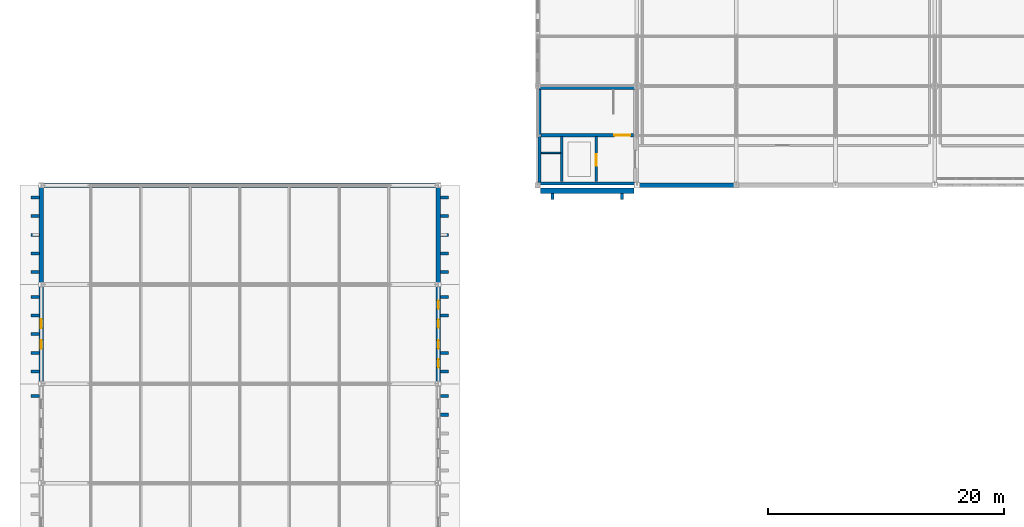
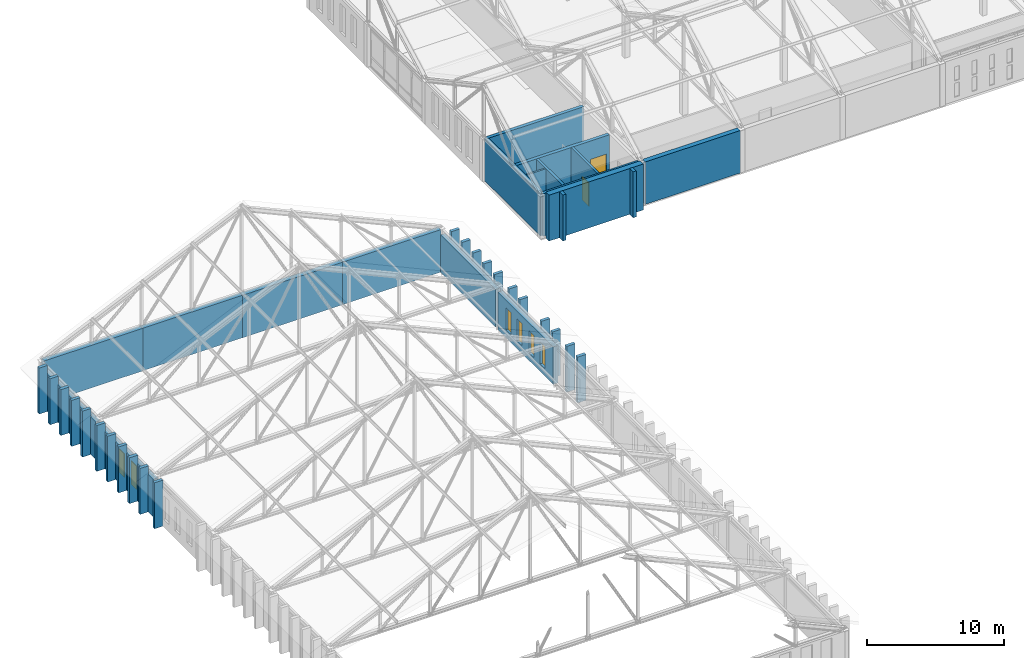
# One storey, part 88 of 110: 41 walls, 6 windows, 2 doors, 8 openings.
"""IFC4 building model written with IfcOpenShell, lengths in metres."""

from ifc_helpers import new_model, si_unit, direction, frame, frame_2d, origin, place, context, subcontext, project, spatial, rectangle, extrude, material, layer, layer_set, type_object, element, fill, save


model = new_model("IFC4")

# Units and contexts
model_context = context("Model", 3, precision=1e-05, world=origin(), true_north=direction((0.0, 1.0)))
body_context = subcontext(model_context, "Body", "Model", "MODEL_VIEW")
ifc_project = project(units=[si_unit("LENGTHUNIT", "METRE"), si_unit("AREAUNIT", "SQUARE_METRE"), si_unit("VOLUMEUNIT", "CUBIC_METRE"), si_unit("PLANEANGLEUNIT", "RADIAN"), si_unit("MASSUNIT", "GRAM", prefix="KILO")], contexts=[model_context])

# Site, building, storey
site_placement = place(None, origin())
site = spatial("IfcSite", under=ifc_project, at=site_placement, CompositionType="ELEMENT")
building_placement = place(site_placement, origin())
building = spatial("IfcBuilding", under=site, at=building_placement, Name="Kveldsbrygga Polytechnic", CompositionType="ELEMENT")
storey_placement = place(building_placement, frame((0.0, 0.0, 9.860107421875)))
storey = spatial("IfcBuildingStorey", under=building, at=storey_placement, Name="L02", CompositionType="ELEMENT", Elevation=9.860107421875)

# Walls
ifc_material_1 = material(Name="Fired clay brick masonry M10", Category="masonry")
ifc_layer_1 = layer(ifc_material_1, 0.47998046875)
ifc_layer_set_1 = layer_set([ifc_layer_1], Name="Fired clay brick masonry M10")
wall_type_1 = type_object("IfcWallType", Name="EW-BAST-480", PredefinedType="SOLIDWALL", material=ifc_layer_set_1)
wall_1_placement = place(storey_placement, frame((42.239990234375, 83.52001953125, 0.0), z_axis=(0.0, 0.0, 1.0), x_axis=(1.0, 0.0, 0.0)))
element("IfcWall", 1, at=wall_1_placement, inside=storey, type_object=wall_type_1, Name="Corner Stair Bastion Wall BAST-L02-X-05-10", PredefinedType="SOLIDWALL", context=body_context, shape_type="SweptSolid", body=[
    extrude(rectangle(XDim=7.919921875, YDim=0.47998046875, at=frame_2d((3.9599609375, 0.0))), origin(), (0.0, 0.0, 1.0), 4.079833984375),
])
ifc_layer_2 = layer(ifc_material_1, 0.3798828125)
ifc_layer_set_2 = layer_set([ifc_layer_2], Name="Fired clay brick masonry M10")
wall_type_2 = type_object("IfcWallType", Name="EW-BRICK-380", PredefinedType="SOLIDWALL", material=ifc_layer_set_2)
wall_2_placement = place(storey_placement, frame((0.0, 75.784912109375, 0.0), z_axis=(0.0, 0.0, 1.0), x_axis=(0.0, 1.0, 0.0)))
element("IfcWall", 2, at=wall_2_placement, inside=storey, type_object=wall_type_2, Name="Exterior Brick Wall EW-L02-Y-00-09", PredefinedType="SOLIDWALL", context=body_context, shape_type="SweptSolid", body=[
    extrude(rectangle(XDim=8.030029296875, YDim=0.3798828125, at=frame_2d((4.01513671875, 0.0))), origin(), (0.0, 0.0, 1.0), 3.329833984375),
])
wall_3_placement = place(storey_placement, frame((8.39990234375, 84.0, 0.0), z_axis=(0.0, 0.0, 1.0), x_axis=(1.0, 0.0, 0.0)))
element("IfcWall", 3, at=wall_3_placement, inside=storey, type_object=wall_type_2, Name="Exterior Brick Wall EW-L02-X-01-10", PredefinedType="SOLIDWALL", context=body_context, shape_type="SweptSolid", body=[
    extrude(rectangle(XDim=8.400146484375, YDim=0.3798828125, at=frame_2d((4.2001953125, 0.0))), origin(), (0.0, 0.0, 1.0), 3.77978515625),
])
wall_4_placement = place(storey_placement, frame((25.199951171875, 84.0, 0.0), z_axis=(0.0, 0.0, 1.0), x_axis=(1.0, 0.0, 0.0)))
element("IfcWall", 4, at=wall_4_placement, inside=storey, type_object=wall_type_2, Name="Exterior Brick Wall EW-L02-X-03-10", PredefinedType="SOLIDWALL", context=body_context, shape_type="SweptSolid", body=[
    extrude(rectangle(XDim=8.26513671875, YDim=0.3798828125, at=frame_2d((4.132568359375, 0.0))), origin(), (0.0, 0.0, 1.0), 3.77978515625),
])
wall_5_placement = place(storey_placement, frame((33.60009765625, 75.784912109375, 0.0), z_axis=(0.0, 0.0, 1.0), x_axis=(0.0, 1.0, 0.0)))
element("IfcWall", 5, at=wall_5_placement, inside=storey, type_object=wall_type_2, Name="Exterior Brick Wall EW-L02-Y-04-09", PredefinedType="SOLIDWALL", context=body_context, shape_type="SweptSolid", body=[
    extrude(rectangle(XDim=8.030029296875, YDim=0.3798828125, at=frame_2d((4.01513671875, 0.0))), origin(), (0.0, 0.0, 1.0), 3.329833984375),
])

# Wall, openings, windows
ifc_layer_3 = layer(ifc_material_1, 0.39990234375)
ifc_layer_set_3 = layer_set([ifc_layer_3], Name="Fired clay brick masonry M10")
wall_type_3 = type_object("IfcWallType", Name="EW-BRICK-400", PredefinedType="SOLIDWALL", material=ifc_layer_set_3)
wall_6_placement = place(storey_placement, frame((0.0, 67.385009765625, 0.0), z_axis=(0.0, 0.0, 1.0), x_axis=(0.0, 1.0, 0.0)))
wall_6 = element("IfcWall", 6, at=wall_6_placement, inside=storey, type_object=wall_type_3, Name="Exterior Brick Wall EW-L02-Y-00-08", PredefinedType="SOLIDWALL", context=body_context, shape_type="SweptSolid", body=[
    extrude(rectangle(XDim=8.030029296875, YDim=0.39990234375, at=frame_2d((4.01513671875, 0.0))), origin(), (0.0, 0.0, 1.0), 3.329833984375),
])
opening_1_placement = place(wall_6_placement, frame((2.756591796875, 0.0, 0.699951171875)))
opening_1 = element("IfcOpeningElement", 7, at=opening_1_placement, cuts=wall_6, Name="Opening W-27", PredefinedType="OPENING", context=body_context, shape_type="SweptSolid", body=[
    extrude(rectangle(XDim=0.75, YDim=2.10009765625, at=frame_2d((0.375, 1.050048828125))), frame((0.0, 0.2099609375, 0.0), z_axis=(0.0, -1.0, 0.0), x_axis=(1.0, 0.0, 0.0)), (0.0, 0.0, 1.0), 0.419921875),
])
opening_2_placement = place(wall_6_placement, frame((4.523193359375, 0.0, 0.699951171875)))
opening_2 = element("IfcOpeningElement", 8, at=opening_2_placement, cuts=wall_6, Name="Opening W-27", PredefinedType="OPENING", context=body_context, shape_type="SweptSolid", body=[
    extrude(rectangle(XDim=0.75, YDim=2.10009765625, at=frame_2d((0.375, 1.050048828125))), frame((0.0, 0.2099609375, 0.0), z_axis=(0.0, -1.0, 0.0), x_axis=(1.0, 0.0, 0.0)), (0.0, 0.0, 1.0), 0.419921875),
])
ifc_material_2 = material(Name="Insulated triple low-E glass", Category="glass")
window_type_1 = type_object("IfcWindowType", Name="WN-ATTIC-075x210", PartitioningType="DOUBLE_PANEL_VERTICAL", PredefinedType="WINDOW", material=ifc_material_2)
window_1_placement = place(opening_1_placement, origin())
window_1 = element("IfcWindow", 9, at=window_1_placement, inside=storey, type_object=window_type_1, Name="Gothic Lancet Window WIN-L02-Y-00-08-2", OverallHeight=2.10009765625, OverallWidth=0.75, PartitioningType="DOUBLE_PANEL_VERTICAL", PredefinedType="WINDOW", context=body_context, shape_type="SweptSolid", body=[
    extrude(rectangle(XDim=0.75, YDim=2.10009765625, at=frame_2d((0.375, 1.050048828125))), frame((0.0, 0.030029296875, 0.0), z_axis=(0.0, -1.0, 0.0), x_axis=(1.0, 0.0, 0.0)), (0.0, 0.0, 1.0), 0.06005859375),
])
fill(opening_1, window_1)
window_2_placement = place(opening_2_placement, origin())
window_2 = element("IfcWindow", 10, at=window_2_placement, inside=storey, type_object=window_type_1, Name="Gothic Lancet Window WIN-L02-Y-00-08-3", OverallHeight=2.10009765625, OverallWidth=0.75, PartitioningType="DOUBLE_PANEL_VERTICAL", PredefinedType="WINDOW", context=body_context, shape_type="SweptSolid", body=[
    extrude(rectangle(XDim=0.75, YDim=2.10009765625, at=frame_2d((0.375, 1.050048828125))), frame((0.0, 0.030029296875, 0.0), z_axis=(0.0, -1.0, 0.0), x_axis=(1.0, 0.0, 0.0)), (0.0, 0.0, 1.0), 0.06005859375),
])
fill(opening_2, window_2)

# Walls
wall_7_placement = place(storey_placement, frame((0.135009765625, 84.0, 0.0), z_axis=(0.0, 0.0, 1.0), x_axis=(1.0, 0.0, 0.0)))
element("IfcWall", 11, at=wall_7_placement, inside=storey, type_object=wall_type_3, Name="Exterior Brick Wall EW-L02-X-00-10", PredefinedType="SOLIDWALL", context=body_context, shape_type="SweptSolid", body=[
    extrude(rectangle(XDim=8.264892578125, YDim=0.39990234375, at=frame_2d((4.13232421875, 0.0))), origin(), (0.0, 0.0, 1.0), 3.77978515625),
])
wall_8_placement = place(storey_placement, frame((16.800048828125, 84.0, 0.0), z_axis=(0.0, 0.0, 1.0), x_axis=(1.0, 0.0, 0.0)))
element("IfcWall", 12, at=wall_8_placement, inside=storey, type_object=wall_type_3, Name="Exterior Brick Wall EW-L02-X-02-10", PredefinedType="SOLIDWALL", context=body_context, shape_type="SweptSolid", body=[
    extrude(rectangle(XDim=8.39990234375, YDim=0.39990234375, at=frame_2d((4.199951171875, 0.0))), origin(), (0.0, 0.0, 1.0), 3.77978515625),
])

# Wall, openings, windows
wall_9_placement = place(storey_placement, frame((33.60009765625, 67.385009765625, 0.0), z_axis=(0.0, 0.0, 1.0), x_axis=(0.0, 1.0, 0.0)))
wall_9 = element("IfcWall", 13, at=wall_9_placement, inside=storey, type_object=wall_type_3, Name="Exterior Brick Wall EW-L02-Y-04-08", PredefinedType="SOLIDWALL", context=body_context, shape_type="SweptSolid", body=[
    extrude(rectangle(XDim=8.030029296875, YDim=0.39990234375, at=frame_2d((4.01513671875, 0.0))), origin(), (0.0, 0.0, 1.0), 3.329833984375),
])
opening_3_placement = place(wall_9_placement, frame((1.17578125, 0.0, 0.699951171875)))
opening_3 = element("IfcOpeningElement", 14, at=opening_3_placement, cuts=wall_9, Name="Opening W-28", PredefinedType="OPENING", context=body_context, shape_type="SweptSolid", body=[
    extrude(rectangle(XDim=0.699951171875, YDim=1.949951171875, at=frame_2d((0.35009765625, 0.97509765625))), frame((0.0, 0.2099609375, 0.0), z_axis=(0.0, -1.0, 0.0), x_axis=(1.0, 0.0, 0.0)), (0.0, 0.0, 1.0), 0.419921875),
])
opening_4_placement = place(wall_9_placement, frame((2.78173828125, 0.0, 0.699951171875)))
opening_4 = element("IfcOpeningElement", 15, at=opening_4_placement, cuts=wall_9, Name="Opening W-28", PredefinedType="OPENING", context=body_context, shape_type="SweptSolid", body=[
    extrude(rectangle(XDim=0.699951171875, YDim=1.949951171875, at=frame_2d((0.35009765625, 0.97509765625))), frame((0.0, 0.2099609375, 0.0), z_axis=(0.0, -1.0, 0.0), x_axis=(1.0, 0.0, 0.0)), (0.0, 0.0, 1.0), 0.419921875),
])
opening_5_placement = place(wall_9_placement, frame((4.54833984375, 0.0, 0.699951171875)))
opening_5 = element("IfcOpeningElement", 16, at=opening_5_placement, cuts=wall_9, Name="Opening W-28", PredefinedType="OPENING", context=body_context, shape_type="SweptSolid", body=[
    extrude(rectangle(XDim=0.699951171875, YDim=1.949951171875, at=frame_2d((0.35009765625, 0.97509765625))), frame((0.0, 0.2099609375, 0.0), z_axis=(0.0, -1.0, 0.0), x_axis=(1.0, 0.0, 0.0)), (0.0, 0.0, 1.0), 0.419921875),
])
opening_6_placement = place(wall_9_placement, frame((6.154296875, 0.0, 0.699951171875)))
opening_6 = element("IfcOpeningElement", 17, at=opening_6_placement, cuts=wall_9, Name="Opening W-28", PredefinedType="OPENING", context=body_context, shape_type="SweptSolid", body=[
    extrude(rectangle(XDim=0.699951171875, YDim=1.949951171875, at=frame_2d((0.35009765625, 0.97509765625))), frame((0.0, 0.2099609375, 0.0), z_axis=(0.0, -1.0, 0.0), x_axis=(1.0, 0.0, 0.0)), (0.0, 0.0, 1.0), 0.419921875),
])
window_type_2 = type_object("IfcWindowType", Name="WN-ATTIC-070x195", PartitioningType="DOUBLE_PANEL_VERTICAL", PredefinedType="WINDOW", material=ifc_material_2)
window_3_placement = place(opening_3_placement, origin())
window_3 = element("IfcWindow", 18, at=window_3_placement, inside=storey, type_object=window_type_2, Name="Gothic Lancet Window WIN-L02-Y-04-08-1", OverallHeight=1.949951171875, OverallWidth=0.699951171875, PartitioningType="DOUBLE_PANEL_VERTICAL", PredefinedType="WINDOW", context=body_context, shape_type="SweptSolid", body=[
    extrude(rectangle(XDim=0.699951171875, YDim=1.949951171875, at=frame_2d((0.35009765625, 0.97509765625))), frame((0.0, 0.030029296875, 0.0), z_axis=(0.0, -1.0, 0.0), x_axis=(1.0, 0.0, 0.0)), (0.0, 0.0, 1.0), 0.06005859375),
])
fill(opening_3, window_3)
window_4_placement = place(opening_4_placement, origin())
window_4 = element("IfcWindow", 19, at=window_4_placement, inside=storey, type_object=window_type_2, Name="Gothic Lancet Window WIN-L02-Y-04-08-2", OverallHeight=1.949951171875, OverallWidth=0.699951171875, PartitioningType="DOUBLE_PANEL_VERTICAL", PredefinedType="WINDOW", context=body_context, shape_type="SweptSolid", body=[
    extrude(rectangle(XDim=0.699951171875, YDim=1.949951171875, at=frame_2d((0.35009765625, 0.97509765625))), frame((0.0, 0.030029296875, 0.0), z_axis=(0.0, -1.0, 0.0), x_axis=(1.0, 0.0, 0.0)), (0.0, 0.0, 1.0), 0.06005859375),
])
fill(opening_4, window_4)
window_5_placement = place(opening_5_placement, origin())
window_5 = element("IfcWindow", 20, at=window_5_placement, inside=storey, type_object=window_type_2, Name="Gothic Lancet Window WIN-L02-Y-04-08-3", OverallHeight=1.949951171875, OverallWidth=0.699951171875, PartitioningType="DOUBLE_PANEL_VERTICAL", PredefinedType="WINDOW", context=body_context, shape_type="SweptSolid", body=[
    extrude(rectangle(XDim=0.699951171875, YDim=1.949951171875, at=frame_2d((0.35009765625, 0.97509765625))), frame((0.0, 0.030029296875, 0.0), z_axis=(0.0, -1.0, 0.0), x_axis=(1.0, 0.0, 0.0)), (0.0, 0.0, 1.0), 0.06005859375),
])
fill(opening_5, window_5)
window_6_placement = place(opening_6_placement, origin())
window_6 = element("IfcWindow", 21, at=window_6_placement, inside=storey, type_object=window_type_2, Name="Gothic Lancet Window WIN-L02-Y-04-08-4", OverallHeight=1.949951171875, OverallWidth=0.699951171875, PartitioningType="DOUBLE_PANEL_VERTICAL", PredefinedType="WINDOW", context=body_context, shape_type="SweptSolid", body=[
    extrude(rectangle(XDim=0.699951171875, YDim=1.949951171875, at=frame_2d((0.35009765625, 0.97509765625))), frame((0.0, 0.030029296875, 0.0), z_axis=(0.0, -1.0, 0.0), x_axis=(1.0, 0.0, 0.0)), (0.0, 0.0, 1.0), 0.06005859375),
])
fill(opening_6, window_6)

# Walls
wall_10_placement = place(storey_placement, frame((50.625, 84.0, 0.0), z_axis=(0.0, 0.0, 1.0), x_axis=(1.0, 0.0, 0.0)))
element("IfcWall", 22, at=wall_10_placement, inside=storey, type_object=wall_type_3, Name="Exterior Brick Wall EW-L02-X-06-10", PredefinedType="SOLIDWALL", context=body_context, shape_type="SweptSolid", body=[
    extrude(rectangle(XDim=7.97998046875, YDim=0.39990234375, at=frame_2d((3.989990234375, 0.0))), origin(), (0.0, 0.0, 1.0), 3.77978515625),
])
ifc_layer_4 = layer(ifc_material_1, 0.260009765625)
ifc_layer_set_4 = layer_set([ifc_layer_4], Name="Fired clay brick masonry M10")
wall_type_4 = type_object("IfcWallType", Name="EW-BUTT-260", PredefinedType="SOLIDWALL", material=ifc_layer_set_4)
for number, where, z_axis, x_axis, name in (
    (23, (-0.1650390625, 66.14990234375, 0.0), (0.0, 0.0, 1.0), (-1.0, 0.0, 0.0), "Gothic Brick Buttress Pier BUTT-L02-Y-00-07-5"),
    (24, (-0.1650390625, 68.25, 0.0), (0.0, 0.0, 1.0), (-1.0, 0.0, 0.0), "Gothic Brick Buttress Pier BUTT-L02-Y-00-08-1"),
    (25, (-0.1650390625, 69.820068359375, 0.0), (0.0, 0.0, 1.0), (-1.0, 0.0, 0.0), "Gothic Brick Buttress Pier BUTT-L02-Y-00-08-2"),
    (26, (-0.1650390625, 71.39990234375, 0.0), (0.0, 0.0, 1.0), (-1.0, 0.0, 0.0), "Gothic Brick Buttress Pier BUTT-L02-Y-00-08-3"),
    (27, (-0.1650390625, 72.97998046875, 0.0), (0.0, 0.0, 1.0), (-1.0, 0.0, 0.0), "Gothic Brick Buttress Pier BUTT-L02-Y-00-08-4"),
    (28, (-0.1650390625, 74.550048828125, 0.0), (0.0, 0.0, 1.0), (-1.0, 0.0, 0.0), "Gothic Brick Buttress Pier BUTT-L02-Y-00-08-5"),
    (29, (-0.1650390625, 76.64990234375, 0.0), (0.0, 0.0, 1.0), (-1.0, 0.0, 0.0), "Gothic Brick Buttress Pier BUTT-L02-Y-00-09-1"),
    (30, (-0.1650390625, 78.219970703125, 0.0), (0.0, 0.0, 1.0), (-1.0, 0.0, 0.0), "Gothic Brick Buttress Pier BUTT-L02-Y-00-09-2"),
    (31, (-0.1650390625, 79.800048828125, 0.0), (0.0, 0.0, 1.0), (-1.0, 0.0, 0.0), "Gothic Brick Buttress Pier BUTT-L02-Y-00-09-3"),
    (32, (-0.1650390625, 81.3798828125, 0.0), (0.0, 0.0, 1.0), (-1.0, 0.0, 0.0), "Gothic Brick Buttress Pier BUTT-L02-Y-00-09-4"),
    (33, (-0.1650390625, 82.949951171875, 0.0), (0.0, 0.0, 1.0), (-1.0, 0.0, 0.0), "Gothic Brick Buttress Pier BUTT-L02-Y-00-09-5"),
):
    element("IfcWall", number, at=place(storey_placement, frame(where, z_axis=z_axis, x_axis=x_axis)), inside=storey, type_object=wall_type_4, Name=name, PredefinedType="SOLIDWALL", context=body_context, shape_type="SweptSolid", body=[
        extrude(rectangle(XDim=0.699951171875, YDim=0.260009765625, at=frame_2d((0.35009765625, 0.0))), origin(), (0.0, 0.0, 1.0), 4.079833984375),
    ])
for number, where, z_axis, x_axis, name in (
    (34, (33.764892578125, 64.580078125, 0.0), (0.0, 0.0, 1.0), (1.0, 0.0, 0.0), "Gothic Brick Buttress Pier BUTT-L02-Y-04-07-4"),
    (35, (33.764892578125, 66.14990234375, 0.0), (0.0, 0.0, 1.0), (1.0, 0.0, 0.0), "Gothic Brick Buttress Pier BUTT-L02-Y-04-07-5"),
    (36, (33.764892578125, 68.25, 0.0), (0.0, 0.0, 1.0), (1.0, 0.0, 0.0), "Gothic Brick Buttress Pier BUTT-L02-Y-04-08-1"),
    (37, (33.764892578125, 69.820068359375, 0.0), (0.0, 0.0, 1.0), (1.0, 0.0, 0.0), "Gothic Brick Buttress Pier BUTT-L02-Y-04-08-2"),
    (38, (33.764892578125, 72.97998046875, 0.0), (0.0, 0.0, 1.0), (1.0, 0.0, 0.0), "Gothic Brick Buttress Pier BUTT-L02-Y-04-08-4"),
    (39, (33.764892578125, 74.550048828125, 0.0), (0.0, 0.0, 1.0), (1.0, 0.0, 0.0), "Gothic Brick Buttress Pier BUTT-L02-Y-04-08-5"),
    (40, (33.764892578125, 76.64990234375, 0.0), (0.0, 0.0, 1.0), (1.0, 0.0, 0.0), "Gothic Brick Buttress Pier BUTT-L02-Y-04-09-1"),
    (41, (33.764892578125, 78.219970703125, 0.0), (0.0, 0.0, 1.0), (1.0, 0.0, 0.0), "Gothic Brick Buttress Pier BUTT-L02-Y-04-09-2"),
    (42, (33.764892578125, 79.800048828125, 0.0), (0.0, 0.0, 1.0), (1.0, 0.0, 0.0), "Gothic Brick Buttress Pier BUTT-L02-Y-04-09-3"),
    (43, (33.764892578125, 81.3798828125, 0.0), (0.0, 0.0, 1.0), (1.0, 0.0, 0.0), "Gothic Brick Buttress Pier BUTT-L02-Y-04-09-4"),
    (44, (33.764892578125, 82.949951171875, 0.0), (0.0, 0.0, 1.0), (1.0, 0.0, 0.0), "Gothic Brick Buttress Pier BUTT-L02-Y-04-09-5"),
):
    element("IfcWall", number, at=place(storey_placement, frame(where, z_axis=z_axis, x_axis=x_axis)), inside=storey, type_object=wall_type_4, Name=name, PredefinedType="SOLIDWALL", context=body_context, shape_type="SweptSolid", body=[
        extrude(rectangle(XDim=0.7001953125, YDim=0.260009765625, at=frame_2d((0.35009765625, 0.0))), origin(), (0.0, 0.0, 1.0), 4.079833984375),
    ])
for number, where, z_axis, x_axis, name in (
    (45, (43.25, 83.300048828125, 0.0), (0.0, 0.0, 1.0), (0.0, -1.0, 0.0), "Gothic Brick Buttress Pier BCLAS-L02-X-05-10-1"),
    (46, (49.14990234375, 83.300048828125, 0.0), (0.0, 0.0, 1.0), (0.0, -1.0, 0.0), "Gothic Brick Buttress Pier BCLAS-L02-X-05-10-2"),
):
    element("IfcWall", number, at=place(storey_placement, frame(where, z_axis=z_axis, x_axis=x_axis)), inside=storey, type_object=wall_type_4, Name=name, PredefinedType="SOLIDWALL", context=body_context, shape_type="SweptSolid", body=[
        extrude(rectangle(XDim=0.52001953125, YDim=0.260009765625, at=frame_2d((0.260009765625, 0.0))), origin(), (0.0, 0.0, 1.0), 4.079833984375),
    ])
ifc_material_3 = material(Name="Moisture-resistant masonry M10", Category="masonry")
ifc_layer_5 = layer(ifc_material_3, 0.1298828125)
ifc_layer_set_5 = layer_set([ifc_layer_5], Name="Moisture-resistant masonry M10")
wall_type_5 = type_object("IfcWallType", Name="IW-SAN-130", PredefinedType="PARTITIONING", material=ifc_layer_set_5)
wall_11_placement = place(storey_placement, frame((42.320068359375, 86.739990234375, 0.0), z_axis=(0.0, 0.0, 1.0), x_axis=(1.0, 0.0, 0.0)))
element("IfcWall", 47, at=wall_11_placement, inside=storey, type_object=wall_type_5, Name="Core AWC Divider C7-L02-W-RSR", PredefinedType="PARTITIONING", context=body_context, shape_type="SweptSolid", body=[
    extrude(rectangle(XDim=1.619873046875, YDim=0.1298828125, at=frame_2d((0.81005859375, 0.0))), origin(), (0.0, 0.0, 1.0), 3.77978515625),
])
ifc_material_4 = material(Name="Concrete C45/55", Category="concrete")
ifc_layer_6 = layer(ifc_material_4, 0.280029296875)
ifc_layer_set_6 = layer_set([ifc_layer_6], Name="Concrete C45/55")
wall_type_6 = type_object("IfcWallType", Name="WL-CORE-280", PredefinedType="SHEAR", material=ifc_layer_set_6)
for number, where, z_axis, x_axis, name in (
    (48, (42.14990234375, 84.14990234375, 0.0), (0.0, 0.0, 1.0), (1.0, 0.0, 0.0), "Core C7 Shear Wall C7-L02-SW-S"),
    (49, (42.14990234375, 92.25, 0.0), (0.0, 0.0, 1.0), (1.0, 0.0, 0.0), "Core C7 Shear Wall C7-L02-SW-N"),
    (50, (42.14990234375, 84.14990234375, 0.0), (0.0, 0.0, 1.0), (0.0, 1.0, 0.0), "Core C7 Shear Wall C7-L02-SW-W"),
):
    element("IfcWall", number, at=place(storey_placement, frame(where, z_axis=z_axis, x_axis=x_axis)), inside=storey, type_object=wall_type_6, Name=name, PredefinedType="SHEAR", context=body_context, shape_type="SweptSolid", body=[
        extrude(rectangle(XDim=8.10009765625, YDim=0.280029296875, at=frame_2d((4.050048828125, 0.0))), origin(), (0.0, 0.0, 1.0), 3.77978515625),
    ])

# Wall, opening, door
wall_12_placement = place(storey_placement, frame((42.300048828125, 88.22998046875, 0.0), z_axis=(0.0, 0.0, 1.0), x_axis=(1.0, 0.0, 0.0)))
wall_12 = element("IfcWall", 51, at=wall_12_placement, inside=storey, type_object=wall_type_6, Name="Core C7 Shear Wall C7-L02-W-DIV", PredefinedType="SHEAR", context=body_context, shape_type="SweptSolid", body=[
    extrude(rectangle(XDim=7.800048828125, YDim=0.280029296875, at=frame_2d((3.89990234375, 0.0))), origin(), (0.0, 0.0, 1.0), 3.77978515625),
])
opening_7_placement = place(wall_12_placement, frame((6.199951171875, 0.0, 0.0)))
opening_7 = element("IfcOpeningElement", 52, at=opening_7_placement, cuts=wall_12, Name="Opening FD-C7-L02-ST", PredefinedType="OPENING", context=body_context, shape_type="SweptSolid", body=[
    extrude(rectangle(XDim=1.35009765625, YDim=2.14990234375, at=frame_2d((0.675048828125, 1.074951171875))), frame((0.0, 0.14990234375, 0.0), z_axis=(0.0, -1.0, 0.0), x_axis=(1.0, 0.0, 0.0)), (0.0, 0.0, 1.0), 0.300048828125),
])
ifc_material_5 = material(Name="Powder-coated galvanised steel", Category="steel")
door_type_1 = type_object("IfcDoorType", Name="ID-STAIR-135x215", OperationType="NOTDEFINED", PredefinedType="DOOR", material=ifc_material_5)
door_1_placement = place(opening_7_placement, origin())
door_1 = element("IfcDoor", 53, at=door_1_placement, inside=storey, type_object=door_type_1, Name="Stair Fire Door FD-C7-L02-ST", OperationType="SINGLE_SWING_RIGHT", OverallHeight=2.14990234375, OverallWidth=1.35009765625, PredefinedType="DOOR", context=body_context, shape_type="SweptSolid", body=[
    extrude(rectangle(XDim=1.35009765625, YDim=2.14990234375, at=frame_2d((0.675048828125, 1.074951171875))), frame((0.0, 0.02490234375, 0.0), z_axis=(0.0, -1.0, 0.0), x_axis=(1.0, 0.0, 0.0)), (0.0, 0.0, 1.0), 0.050048828125),
])
fill(opening_7, door_1)

ifc_material_6 = material(Name="Concrete C35/45", Category="concrete")
ifc_layer_7 = layer(ifc_material_6, 0.199951171875)
ifc_layer_set_7 = layer_set([ifc_layer_7], Name="Concrete C35/45")
wall_type_7 = type_object("IfcWallType", Name="WL-SHFT-200", PredefinedType="SHEAR", material=ifc_layer_set_7)
wall_13_placement = place(storey_placement, frame((46.9599609375, 84.300048828125, 0.0), z_axis=(0.0, 0.0, 1.0), x_axis=(0.0, 1.0, 0.0)))
wall_13 = element("IfcWall", 54, at=wall_13_placement, inside=storey, type_object=wall_type_7, Name="Lift Front Wall C7-L02-W-LFR", PredefinedType="SHEAR", context=body_context, shape_type="SweptSolid", body=[
    extrude(rectangle(XDim=3.800048828125, YDim=0.199951171875, at=frame_2d((1.89990234375, 0.0))), origin(), (0.0, 0.0, 1.0), 3.77978515625),
])
opening_8_placement = place(wall_13_placement, frame((1.35009765625, 0.0, 0.0)))
opening_8 = element("IfcOpeningElement", 55, at=opening_8_placement, cuts=wall_13, Name="Opening ID-C7-L02-STR", PredefinedType="OPENING", context=body_context, shape_type="SweptSolid", body=[
    extrude(rectangle(XDim=0.949951171875, YDim=2.10009765625, at=frame_2d((0.47509765625, 1.050048828125))), frame((0.0, 0.10986328125, 0.0), z_axis=(0.0, -1.0, 0.0), x_axis=(1.0, 0.0, 0.0)), (0.0, 0.0, 1.0), 0.219970703125),
])
ifc_material_7 = material(Name="Acoustic oak timber", Category="wood")
door_type_2 = type_object("IfcDoorType", Name="ID-OFF-095x210", OperationType="NOTDEFINED", PredefinedType="DOOR", material=ifc_material_7)
door_2_placement = place(opening_8_placement, origin())
door_2 = element("IfcDoor", 56, at=door_2_placement, inside=storey, type_object=door_type_2, Name="Cleaner Store Door ID-C7-L02-STR", OperationType="SINGLE_SWING_LEFT", OverallHeight=2.10009765625, OverallWidth=0.949951171875, PredefinedType="DOOR", context=body_context, shape_type="SweptSolid", body=[
    extrude(rectangle(XDim=0.949951171875, YDim=2.10009765625, at=frame_2d((0.47509765625, 1.050048828125))), frame((0.0, 0.02490234375, 0.0), z_axis=(0.0, -1.0, 0.0), x_axis=(1.0, 0.0, 0.0)), (0.0, 0.0, 1.0), 0.050048828125),
])
fill(opening_8, door_2)

# Wall
wall_14_placement = place(storey_placement, frame((44.0400390625, 84.300048828125, 0.0), z_axis=(0.0, 0.0, 1.0), x_axis=(0.0, 1.0, 0.0)))
element("IfcWall", 57, at=wall_14_placement, inside=storey, type_object=wall_type_7, Name="Lift Back Wall C7-L02-W-LBK", PredefinedType="SHEAR", context=body_context, shape_type="SweptSolid", body=[
    extrude(rectangle(XDim=3.800048828125, YDim=0.199951171875, at=frame_2d((1.89990234375, 0.0))), origin(), (0.0, 0.0, 1.0), 3.77978515625),
])

save(model, "model.ifc")
